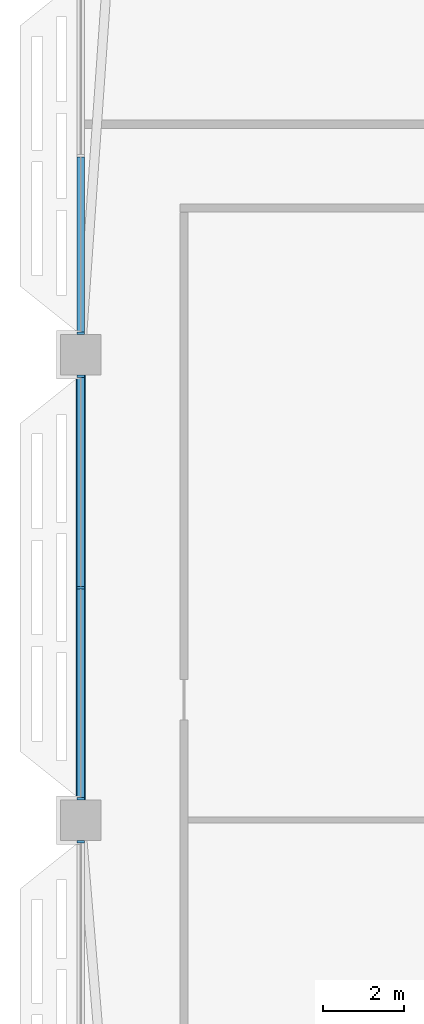
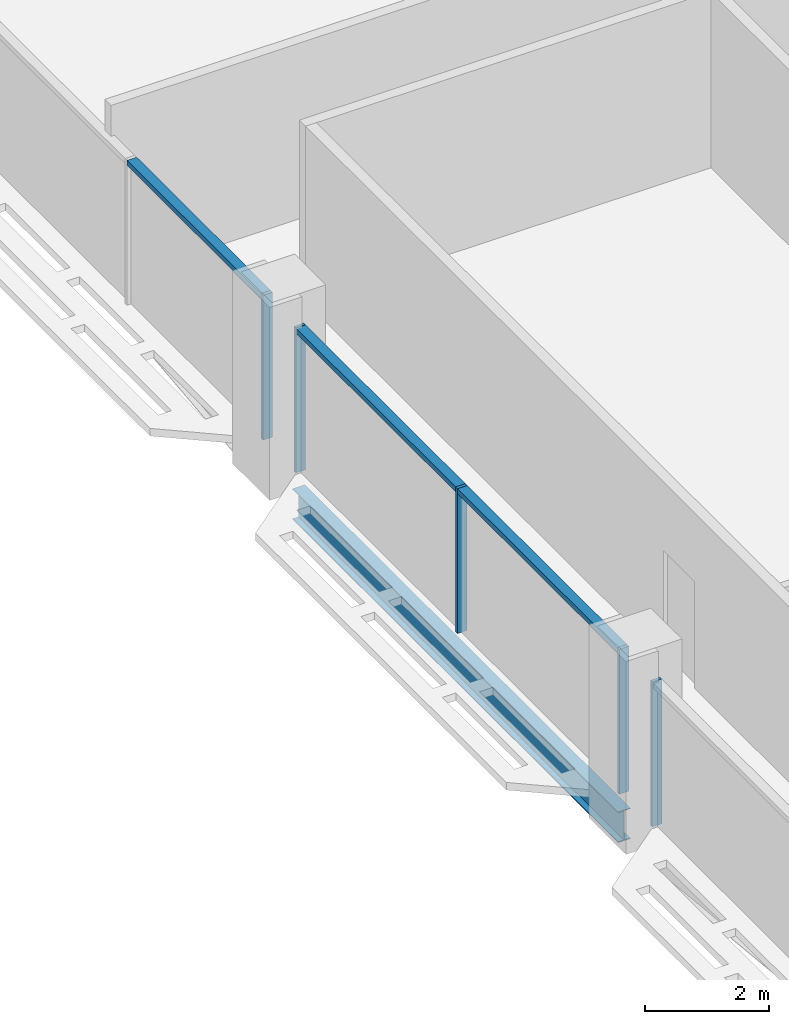
# One storey, part 7 of 35: 8 members, 1 beam, 3 elements without a shape of their own.
"""IFC4 building model written with IfcOpenShell, lengths in metres."""

from ifc_helpers import new_model, si_unit, direction, frame, origin, origin_2d, place, context, subcontext, project, spatial, rectangle, i_section, extrude, material, material_profile, profile_set, type_object, element, aggregate, save


model = new_model("IFC4")

# Units and contexts
model_context = context("Model", 3, precision=1e-05, world=origin(), true_north=direction((0.0, 1.0)))
body_context = subcontext(model_context, "Body", "Model", "MODEL_VIEW")
ifc_project = project(units=[si_unit("LENGTHUNIT", "METRE"), si_unit("AREAUNIT", "SQUARE_METRE"), si_unit("VOLUMEUNIT", "CUBIC_METRE"), si_unit("PLANEANGLEUNIT", "RADIAN"), si_unit("MASSUNIT", "GRAM", prefix="KILO")], contexts=[model_context])

# Site, building, storey
site_placement = place(None, origin())
site = spatial("IfcSite", under=ifc_project, at=site_placement, CompositionType="ELEMENT")
building_placement = place(site_placement, origin())
building = spatial("IfcBuilding", under=site, at=building_placement, Name="Mahtab Terrace Research Tower", CompositionType="ELEMENT")
storey_placement = place(building_placement, frame((0.0, 0.0, 251.39990234375)))
storey = spatial("IfcBuildingStorey", under=building, at=storey_placement, Name="L61", CompositionType="ELEMENT", Elevation=251.39990234375)

# Curtain wall, member
ifc_material_1 = material(Name="Office ribbon curtain wall")
curtain_wall_type = type_object("IfcCurtainWallType", Name="Office ribbon curtain wall", PredefinedType="NOTDEFINED", material=ifc_material_1)
curtain_wall_1_placement = place(storey_placement, origin())
curtain_wall_1 = element("IfcCurtainWall", 1, at=curtain_wall_1_placement, inside=storey, type_object=curtain_wall_type, Name="EN.L61.8.10", PredefinedType="NOTDEFINED")
ifc_material_2 = material(Name="Natural anodised aluminium", Category="aluminium")
ifc_material_profile_1 = material_profile(ifc_material_2, rectangle(XDim=0.179931640625, YDim=0.06005859375, at=origin_2d()), Name="MULLION 60x180")
ifc_profile_set_1 = profile_set([ifc_material_profile_1], Name="Natural anodised aluminium")
member_type_1 = type_object("IfcMemberType", Name="Office ribbon curtain wall mullion", PredefinedType="MULLION", material=ifc_profile_set_1)
member_1_placement = place(storey_placement, frame((-42.0, 12.030029296875, 0.0), z_axis=(0.0, 0.0, 1.0), x_axis=(1.0, 0.0, 0.0)))
member_1 = element("IfcMember", 2, at=member_1_placement, type_object=member_type_1, Name="CWO-7 mullion 3", PredefinedType="MULLION", context=body_context, shape_type="SweptSolid", body=[
    extrude(rectangle(XDim=0.179931640625, YDim=0.06005859375, at=origin_2d()), origin(), (0.0, 0.0, 1.0), 2.85302734375),
])

# Curtain wall, members
curtain_wall_2_placement = place(storey_placement, origin())
curtain_wall_2 = element("IfcCurtainWall", 3, at=curtain_wall_2_placement, inside=storey, type_object=curtain_wall_type, Name="EN.L61.8.11", PredefinedType="NOTDEFINED")
member_2_placement = place(storey_placement, frame((-42.0, 10.969970703125, 0.0), z_axis=(0.0, 0.0, 1.0), x_axis=(1.0, 0.0, 0.0)))
member_2 = element("IfcMember", 4, at=member_2_placement, type_object=member_type_1, Name="CWO-7 mullion 1", PredefinedType="MULLION", context=body_context, shape_type="SweptSolid", body=[
    extrude(rectangle(XDim=0.179931640625, YDim=0.06005859375, at=origin_2d()), origin(), (0.0, 0.0, 1.0), 2.85302734375),
])
member_3_placement = place(storey_placement, frame((-42.0, 5.75, 0.0), z_axis=(0.0, 0.0, 1.0), x_axis=(1.0, 0.0, 0.0)))
member_3 = element("IfcMember", 5, at=member_3_placement, type_object=member_type_1, Name="CWO-7 mullion 2", PredefinedType="MULLION", context=body_context, shape_type="SweptSolid", body=[
    extrude(rectangle(XDim=0.179931640625, YDim=0.06005859375, at=origin_2d()), origin(), (0.0, 0.0, 1.0), 2.85302734375),
])
member_4_placement = place(storey_placement, frame((-42.0, 0.530029296875, 0.0), z_axis=(0.0, 0.0, 1.0), x_axis=(1.0, 0.0, 0.0)))
member_4 = element("IfcMember", 6, at=member_4_placement, type_object=member_type_1, Name="CWO-7 mullion 3", PredefinedType="MULLION", context=body_context, shape_type="SweptSolid", body=[
    extrude(rectangle(XDim=0.179931640625, YDim=0.06005859375, at=origin_2d()), origin(), (0.0, 0.0, 1.0), 2.85302734375),
])

# Curtain wall, member
curtain_wall_3_placement = place(storey_placement, origin())
curtain_wall_3 = element("IfcCurtainWall", 7, at=curtain_wall_3_placement, inside=storey, type_object=curtain_wall_type, Name="EN.L61.8.12", PredefinedType="NOTDEFINED")
member_5_placement = place(storey_placement, frame((-42.0, -0.530029296875, 0.0), z_axis=(0.0, 0.0, 1.0), x_axis=(1.0, 0.0, 0.0)))
member_5 = element("IfcMember", 8, at=member_5_placement, type_object=member_type_1, Name="CWO-7 mullion 1", PredefinedType="MULLION", context=body_context, shape_type="SweptSolid", body=[
    extrude(rectangle(XDim=0.179931640625, YDim=0.06005859375, at=origin_2d()), origin(), (0.0, 0.0, 1.0), 2.85302734375),
])
aggregate(curtain_wall_3, [member_5])

# Member
ifc_material_profile_2 = material_profile(ifc_material_2, rectangle(XDim=0.179931640625, YDim=0.10009765625, at=origin_2d()), Name="TRANSOM 100x180")
ifc_profile_set_2 = profile_set([ifc_material_profile_2], Name="Natural anodised aluminium")
member_type_2 = type_object("IfcMemberType", Name="Office ribbon curtain wall transom", PredefinedType="USERDEFINED", material=ifc_profile_set_2)
member_6_placement = place(storey_placement, frame((-42.0, 16.386962890625, 2.802978515625), z_axis=(0.0, -1.0, 0.0), x_axis=(1.0, 0.0, 0.0)))
member_6 = element("IfcMember", 9, at=member_6_placement, type_object=member_type_2, Name="CWO-7 transom 2", ObjectType="TRANSOM", PredefinedType="USERDEFINED", context=body_context, shape_type="SweptSolid", body=[
    extrude(rectangle(XDim=0.179931640625, YDim=0.10009765625, at=origin_2d()), origin(), (0.0, 0.0, 1.0), 4.326904296875),
])

aggregate(curtain_wall_1, [member_1, member_6])

member_7_placement = place(storey_placement, frame((-42.0, 10.93994140625, 2.802978515625), z_axis=(0.0, -1.0, 0.0), x_axis=(1.0, 0.0, 0.0)))
member_7 = element("IfcMember", 10, at=member_7_placement, type_object=member_type_2, Name="CWO-7 transom 1", ObjectType="TRANSOM", PredefinedType="USERDEFINED", context=body_context, shape_type="SweptSolid", body=[
    extrude(rectangle(XDim=0.179931640625, YDim=0.10009765625, at=origin_2d()), origin(), (0.0, 0.0, 1.0), 5.159912109375),
])

member_8_placement = place(storey_placement, frame((-42.0, 5.719970703125, 2.802978515625), z_axis=(0.0, -1.0, 0.0), x_axis=(1.0, 0.0, 0.0)))
member_8 = element("IfcMember", 11, at=member_8_placement, type_object=member_type_2, Name="CWO-7 transom 2", ObjectType="TRANSOM", PredefinedType="USERDEFINED", context=body_context, shape_type="SweptSolid", body=[
    extrude(rectangle(XDim=0.179931640625, YDim=0.10009765625, at=origin_2d()), origin(), (0.0, 0.0, 1.0), 5.159912109375),
])

aggregate(curtain_wall_2, [member_2, member_3, member_4, member_7, member_8])

# Beam
ifc_material_3 = material(Name="Steel ASTM A992 Gr 50", Category="steel")
ifc_material_profile_3 = material_profile(ifc_material_3, i_section(OverallWidth=0.228271484375, OverallDepth=0.607177734375, WebThickness=0.01123046875, FlangeThickness=0.017333984375, at=origin_2d()), Name="W24X76")
ifc_profile_set_3 = profile_set([ifc_material_profile_3], Name="Steel ASTM A992 Gr 50")
beam_type = type_object("IfcBeamType", Name="W24x76 beam BS2476", PredefinedType="BEAM", material=ifc_profile_set_3)
beam_placement = place(storey_placement, frame((-42.0, 11.0, -0.6435546875), z_axis=(0.0, -1.0, 0.0), x_axis=(1.0, 0.0, 0.0)))
element("IfcBeam", 12, at=beam_placement, inside=storey, type_object=beam_type, Name="Spandrel beam L61 10", PredefinedType="BEAM", context=body_context, shape_type="SweptSolid", body=[
    extrude(i_section(OverallWidth=0.228271484375, OverallDepth=0.607177734375, WebThickness=0.01123046875, FlangeThickness=0.017333984375, at=origin_2d()), origin(), (0.0, 0.0, 1.0), 10.5),
])

save(model, "model.ifc")
